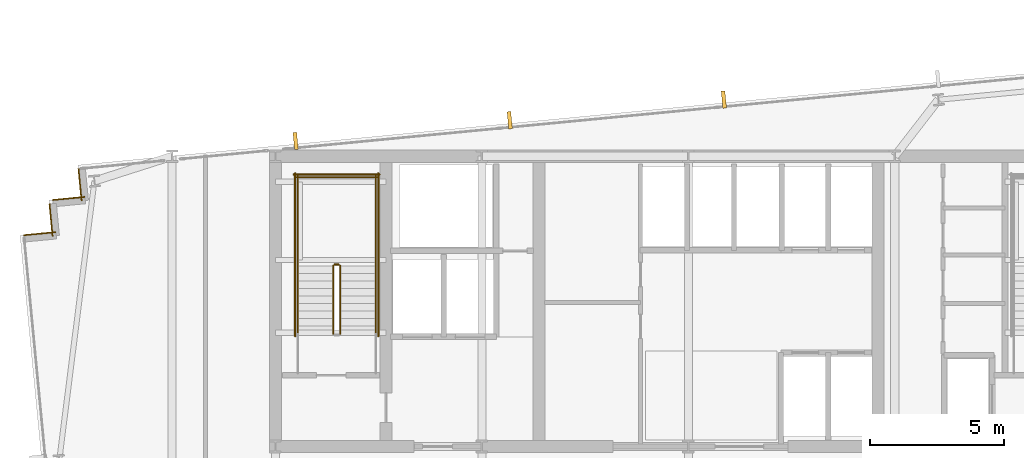
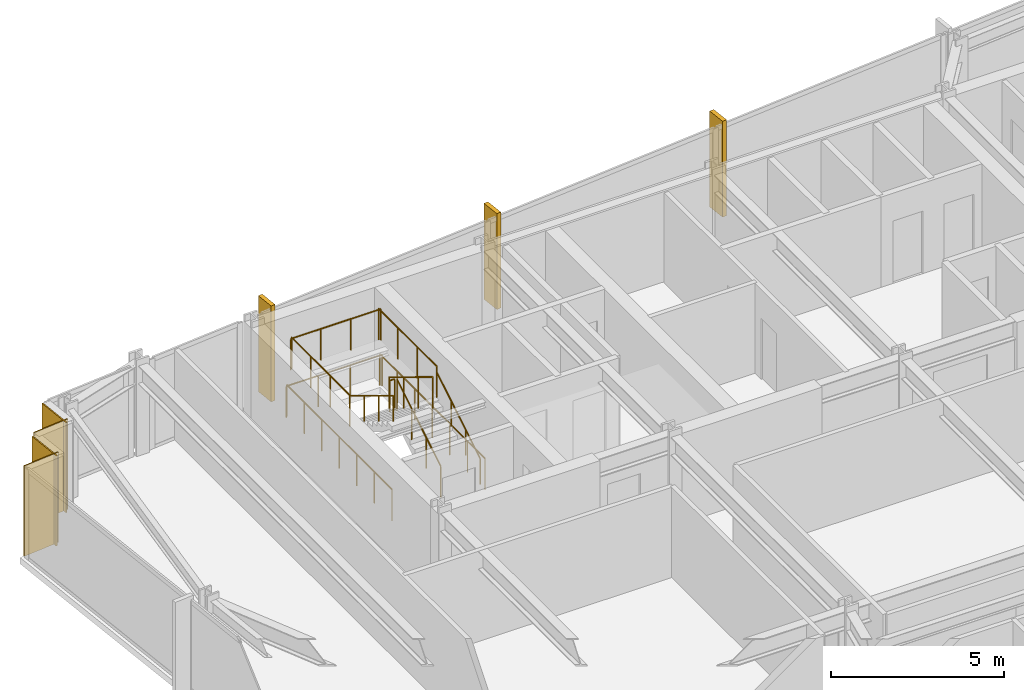
# One storey, part 31 of 32: 11 railings, 4 coverings, 3 shading devices.
"""IFC4 building model written with IfcOpenShell, lengths in metres."""

from ifc_helpers import new_model, si_unit, direction, frame, frame_2d, origin, origin_2d, place, context, subcontext, project, spatial, rectangle, circle, extrude, material, layer, layer_set, type_object, element, save


model = new_model("IFC4")

# Units and contexts
model_context = context("Model", 3, precision=1e-05, world=origin(), true_north=direction((0.0, 1.0)))
body_context = subcontext(model_context, "Body", "Model", "MODEL_VIEW")
ifc_project = project(units=[si_unit("LENGTHUNIT", "METRE"), si_unit("AREAUNIT", "SQUARE_METRE"), si_unit("VOLUMEUNIT", "CUBIC_METRE"), si_unit("PLANEANGLEUNIT", "RADIAN"), si_unit("MASSUNIT", "GRAM", prefix="KILO")], contexts=[model_context])

# Site, building, storey
site_placement = place(None, origin())
site = spatial("IfcSite", under=ifc_project, at=site_placement, CompositionType="ELEMENT")
building_placement = place(site_placement, origin())
building = spatial("IfcBuilding", under=site, at=building_placement, Name="Yelkora Congress Tower", CompositionType="ELEMENT")
storey_placement = place(building_placement, frame((0.0, 0.0, 96.5)))
storey = spatial("IfcBuildingStorey", under=building, at=storey_placement, Name="L25", CompositionType="ELEMENT", Elevation=96.5)

# Coverings
ifc_material_1 = material(Name="Anatolian bush-hammered limestone", Category="masonry")
ifc_layer_1 = layer(ifc_material_1, 0.0400390625)
ifc_layer_set_1 = layer_set([ifc_layer_1], Name="Anatolian bush-hammered limestone")
covering_type = type_object("IfcCoveringType", Name="COV-CLAD-SPANDREL-40", PredefinedType="CLADDING", material=ifc_layer_set_1)
for number, where, z_axis, x_axis, name in (
    (1, (13.677978515625, 43.260986328125, 0.0), (0.0, 0.0, 1.0), (0.995397091755, 0.095836473879, 0.0), "L25 Anatolian Limestone Cladding EW-L25-SR06"),
    (2, (14.7509765625, 43.228759765625, 0.0), (0.0, 0.0, 1.0), (-0.095836473879, 0.995397091755, 0.0), "L25 Anatolian Limestone Cladding EW-L25-SR07"),
):
    element("IfcCovering", number, at=place(storey_placement, frame(where, z_axis=z_axis, x_axis=x_axis)), inside=storey, type_object=covering_type, Name=name, PredefinedType="CLADDING", context=body_context, shape_type="SweptSolid", body=[
        extrude(rectangle(XDim=1.199951171875, YDim=0.0400390625, at=frame_2d((0.60009765625, 0.0))), origin(), (0.0, 0.0, 1.0), 3.179931640625),
    ])
for number, where, z_axis, x_axis, name in (
    (3, (14.75732421875, 44.570556640625, 0.0), (0.0, 0.0, 1.0), (0.995398960025, 0.095817067274, 0.0), "L25 Anatolian Limestone Cladding EW-L25-SR08"),
    (4, (15.830322265625, 44.5380859375, 0.0), (0.0, 0.0, 1.0), (-0.095817067274, 0.995398960025, 0.0), "L25 Anatolian Limestone Cladding EW-L25-SR09"),
):
    element("IfcCovering", number, at=place(storey_placement, frame(where, z_axis=z_axis, x_axis=x_axis)), inside=storey, type_object=covering_type, Name=name, PredefinedType="CLADDING", context=body_context, shape_type="SweptSolid", body=[
        extrude(rectangle(XDim=1.2001953125, YDim=0.0400390625, at=frame_2d((0.60009765625, 0.0))), origin(), (0.0, 0.0, 1.0), 3.179931640625),
    ])

# Railings
ifc_material_2 = material(Name="Painted galvanised steel stair well guard with vertical infill", Category="steel")
ifc_layer_2 = layer(ifc_material_2, 0.06005859375)
ifc_layer_set_2 = layer_set([ifc_layer_2], Name="Painted galvanised steel stair well guard with vertical infill")
railing_type_1 = type_object("IfcRailingType", Name="RAIL-STAIR-GUARD-1120", PredefinedType="GUARDRAIL", material=ifc_layer_set_2)
railing_1_placement = place(storey_placement, frame((25.449951171875, 39.60009765625, 0.169921875)))
element("IfcRailing", 5, at=railing_1_placement, inside=storey, type_object=railing_type_1, Name="ST-01 L25 Stair Well Guardrail 1", PredefinedType="GUARDRAIL", context=body_context, shape_type="SweptSolid", body=[
    extrude(circle(Radius=0.02392578125, at=origin_2d()), frame((0.0, 0.0, 1.09619140625), z_axis=(0.0, 0.85478489116, 0.518982456201), x_axis=(-1.0, 0.0, 0.0)), (0.0, 0.0, 1.0), 2.9482421875),
    extrude(circle(Radius=0.02099609375, at=origin_2d()), origin(), (0.0, 0.0, 1.0), 1.072021484375),
    extrude(circle(Radius=0.02099609375, at=origin_2d()), frame((0.0, 0.840087890625, 0.510009765625)), (0.0, 0.0, 1.0), 1.072021484375),
    extrude(circle(Radius=0.02099609375, at=origin_2d()), frame((0.0, 1.679931640625, 1.02001953125)), (0.0, 0.0, 1.0), 1.072021484375),
    extrude(circle(Radius=0.02099609375, at=origin_2d()), frame((0.0, 2.52001953125, 1.530029296875)), (0.0, 0.0, 1.0), 1.072021484375),
])
railing_2_placement = place(storey_placement, frame((25.39990234375, 42.169921875, 1.699951171875)))
element("IfcRailing", 6, at=railing_2_placement, inside=storey, type_object=railing_type_1, Name="ST-01 L25 Stair Well Guardrail 2", PredefinedType="GUARDRAIL", context=body_context, shape_type="SweptSolid", body=[
    extrude(circle(Radius=0.02392578125, at=origin_2d()), frame((0.0, 0.0, 1.09619140625), z_axis=(-1.0, 0.0, 0.0), x_axis=(0.0, -1.0, 0.0)), (0.0, 0.0, 1.0), 0.159912109375),
    extrude(circle(Radius=0.02099609375, at=origin_2d()), origin(), (0.0, 0.0, 1.0), 1.072021484375),
    extrude(circle(Radius=0.02099609375, at=origin_2d()), frame((-0.159912109375, 0.0, 0.0)), (0.0, 0.0, 1.0), 1.072021484375),
])
for number, where, name in (
    (7, (26.77001953125, 42.1201171875, 1.699951171875), "ST-01 L25 Stair Well Guardrail 3"),
    (8, (23.8701171875, 42.1201171875, 1.699951171875), "ST-01 L25 Stair Well Guardrail 4"),
):
    element("IfcRailing", number, at=place(storey_placement, frame(where)), inside=storey, type_object=railing_type_1, Name=name, PredefinedType="GUARDRAIL", context=body_context, shape_type="SweptSolid", body=[
        extrude(circle(Radius=0.02392578125, at=origin_2d()), frame((0.0, 0.0, 1.09619140625), z_axis=(0.0, 1.0, 0.0), x_axis=(-1.0, 0.0, 0.0)), (0.0, 0.0, 1.0), 3.349853515625),
        extrude(circle(Radius=0.02099609375, at=origin_2d()), origin(), (0.0, 0.0, 1.0), 1.072021484375),
        extrude(circle(Radius=0.02099609375, at=origin_2d()), frame((0.0, 1.11669921875, 0.0)), (0.0, 0.0, 1.0), 1.072021484375),
        extrude(circle(Radius=0.02099609375, at=origin_2d()), frame((0.0, 2.233154296875, 0.0)), (0.0, 0.0, 1.0), 1.072021484375),
        extrude(circle(Radius=0.02099609375, at=origin_2d()), frame((0.0, 3.349853515625, 0.0)), (0.0, 0.0, 1.0), 1.072021484375),
    ])
railing_3_placement = place(storey_placement, frame((26.820068359375, 45.419921875, 1.699951171875)))
element("IfcRailing", 9, at=railing_3_placement, inside=storey, type_object=railing_type_1, Name="ST-01 L25 Stair Well Guardrail 5", PredefinedType="GUARDRAIL", context=body_context, shape_type="SweptSolid", body=[
    extrude(circle(Radius=0.02392578125, at=origin_2d()), frame((0.0, 0.0, 1.09619140625), z_axis=(-1.0, 0.0, 0.0), x_axis=(0.0, -1.0, 0.0)), (0.0, 0.0, 1.0), 3.0),
    extrude(circle(Radius=0.02099609375, at=origin_2d()), origin(), (0.0, 0.0, 1.0), 1.072021484375),
    extrude(circle(Radius=0.02099609375, at=origin_2d()), frame((-1.0, 0.0, 0.0)), (0.0, 0.0, 1.0), 1.072021484375),
    extrude(circle(Radius=0.02099609375, at=origin_2d()), frame((-2.0, 0.0, 0.0)), (0.0, 0.0, 1.0), 1.072021484375),
    extrude(circle(Radius=0.02099609375, at=origin_2d()), frame((-3.0, 0.0, 0.0)), (0.0, 0.0, 1.0), 1.072021484375),
])
railing_4_placement = place(storey_placement, frame((25.18994140625, 42.1201171875, 1.8701171875)))
element("IfcRailing", 10, at=railing_4_placement, inside=storey, type_object=railing_type_1, Name="ST-01 L25 Stair Well Guardrail 6", PredefinedType="GUARDRAIL", context=body_context, shape_type="SweptSolid", body=[
    extrude(circle(Radius=0.02392578125, at=origin_2d()), frame((0.0, 0.0, 1.09619140625), z_axis=(0.0, -0.854821627497, 0.518921945155), x_axis=(1.0, 0.0, 0.0)), (0.0, 0.0, 1.0), 2.947998046875),
    extrude(circle(Radius=0.02099609375, at=origin_2d()), origin(), (0.0, 0.0, 1.0), 1.072021484375),
    extrude(circle(Radius=0.02099609375, at=origin_2d()), frame((0.0, -0.840087890625, 0.510009765625)), (0.0, 0.0, 1.0), 1.072021484375),
    extrude(circle(Radius=0.02099609375, at=origin_2d()), frame((0.0, -1.679931640625, 1.019775390625)), (0.0, 0.0, 1.0), 1.072021484375),
    extrude(circle(Radius=0.02099609375, at=origin_2d()), frame((0.0, -2.52001953125, 1.52978515625)), (0.0, 0.0, 1.0), 1.072021484375),
])
for number, where, name in (
    (11, (26.8701171875, 39.5, 0.0), "ST-01 L25 Stair Well Guardrail 10"),
    (12, (23.77001953125, 39.5, 0.0), "ST-01 L25 Stair Well Guardrail 11"),
):
    element("IfcRailing", number, at=place(storey_placement, frame(where)), inside=storey, type_object=railing_type_1, Name=name, PredefinedType="GUARDRAIL", context=body_context, shape_type="SweptSolid", body=[
        extrude(circle(Radius=0.02392578125, at=origin_2d()), frame((0.0, 0.0, 1.09619140625), z_axis=(0.0, 1.0, 0.0), x_axis=(-1.0, 0.0, 0.0)), (0.0, 0.0, 1.0), 6.070068359375),
        extrude(circle(Radius=0.02099609375, at=origin_2d()), origin(), (0.0, 0.0, 1.0), 1.072021484375),
        extrude(circle(Radius=0.02099609375, at=origin_2d()), frame((0.0, 1.01171875, 0.0)), (0.0, 0.0, 1.0), 1.072021484375),
        extrude(circle(Radius=0.02099609375, at=origin_2d()), frame((0.0, 2.0234375, 0.0)), (0.0, 0.0, 1.0), 1.072021484375),
        extrude(circle(Radius=0.02099609375, at=origin_2d()), frame((0.0, 3.03515625, 0.0)), (0.0, 0.0, 1.0), 1.072021484375),
        extrude(circle(Radius=0.02099609375, at=origin_2d()), frame((0.0, 4.046630859375, 0.0)), (0.0, 0.0, 1.0), 1.072021484375),
        extrude(circle(Radius=0.02099609375, at=origin_2d()), frame((0.0, 5.058349609375, 0.0)), (0.0, 0.0, 1.0), 1.072021484375),
        extrude(circle(Radius=0.02099609375, at=origin_2d()), frame((0.0, 6.070068359375, 0.0)), (0.0, 0.0, 1.0), 1.072021484375),
    ])
railing_5_placement = place(storey_placement, frame((26.919921875, 45.52001953125, 0.0)))
element("IfcRailing", 13, at=railing_5_placement, inside=storey, type_object=railing_type_1, Name="ST-01 L25 Stair Well Guardrail 12", PredefinedType="GUARDRAIL", context=body_context, shape_type="SweptSolid", body=[
    extrude(circle(Radius=0.02392578125, at=origin_2d()), frame((0.0, 0.0, 1.09619140625), z_axis=(-1.0, 0.0, 0.0), x_axis=(0.0, -1.0, 0.0)), (0.0, 0.0, 1.0), 3.199951171875),
    extrude(circle(Radius=0.02099609375, at=origin_2d()), origin(), (0.0, 0.0, 1.0), 1.072021484375),
    extrude(circle(Radius=0.02099609375, at=origin_2d()), frame((-1.066650390625, 0.0, 0.0)), (0.0, 0.0, 1.0), 1.072021484375),
    extrude(circle(Radius=0.02099609375, at=origin_2d()), frame((-2.13330078125, 0.0, 0.0)), (0.0, 0.0, 1.0), 1.072021484375),
    extrude(circle(Radius=0.02099609375, at=origin_2d()), frame((-3.199951171875, 0.0, 0.0)), (0.0, 0.0, 1.0), 1.072021484375),
])
ifc_material_3 = material(Name="Brushed stainless steel tubular handrail", Category="steel")
ifc_layer_3 = layer(ifc_material_3, 0.050048828125)
ifc_layer_set_3 = layer_set([ifc_layer_3], Name="Brushed stainless steel tubular handrail")
railing_type_2 = type_object("IfcRailingType", Name="RAIL-STAIR-HAND-920", PredefinedType="HANDRAIL", material=ifc_layer_set_3)
railing_6_placement = place(storey_placement, frame((26.77001953125, 39.60009765625, 0.169921875)))
element("IfcRailing", 14, at=railing_6_placement, inside=storey, type_object=railing_type_2, Name="ST-01 L25 Pitch Handrail 1", PredefinedType="HANDRAIL", context=body_context, shape_type="SweptSolid", body=[
    extrude(circle(Radius=0.02392578125, at=origin_2d()), frame((0.0, 0.0, 0.89599609375), z_axis=(0.0, 0.85478489116, 0.518982456201), x_axis=(-1.0, 0.0, 0.0)), (0.0, 0.0, 1.0), 2.9482421875),
    extrude(circle(Radius=0.02099609375, at=origin_2d()), origin(), (0.0, 0.0, 1.0), 0.871826171875),
    extrude(circle(Radius=0.02099609375, at=origin_2d()), frame((0.0, 0.840087890625, 0.510009765625)), (0.0, 0.0, 1.0), 0.871826171875),
    extrude(circle(Radius=0.02099609375, at=origin_2d()), frame((0.0, 1.679931640625, 1.02001953125)), (0.0, 0.0, 1.0), 0.871826171875),
    extrude(circle(Radius=0.02099609375, at=origin_2d()), frame((0.0, 2.52001953125, 1.530029296875)), (0.0, 0.0, 1.0), 0.871826171875),
])
railing_7_placement = place(storey_placement, frame((23.8701171875, 42.1201171875, 1.8701171875)))
element("IfcRailing", 15, at=railing_7_placement, inside=storey, type_object=railing_type_2, Name="ST-01 L25 Pitch Handrail 2", PredefinedType="HANDRAIL", context=body_context, shape_type="SweptSolid", body=[
    extrude(circle(Radius=0.02392578125, at=origin_2d()), frame((0.0, 0.0, 0.89599609375), z_axis=(0.0, -0.854821627497, 0.518921945155), x_axis=(1.0, 0.0, 0.0)), (0.0, 0.0, 1.0), 2.947998046875),
    extrude(circle(Radius=0.02099609375, at=origin_2d()), origin(), (0.0, 0.0, 1.0), 0.871826171875),
    extrude(circle(Radius=0.02099609375, at=origin_2d()), frame((0.0, -0.840087890625, 0.510009765625)), (0.0, 0.0, 1.0), 0.871826171875),
    extrude(circle(Radius=0.02099609375, at=origin_2d()), frame((0.0, -1.679931640625, 1.019775390625)), (0.0, 0.0, 1.0), 0.871826171875),
    extrude(circle(Radius=0.02099609375, at=origin_2d()), frame((0.0, -2.52001953125, 1.52978515625)), (0.0, 0.0, 1.0), 0.871826171875),
])

# Shading devices
ifc_material_4 = material(Name="Champagne anodised aluminium", Category="aluminium")
ifc_layer_4 = layer(ifc_material_4, 3.39990234375)
ifc_layer_set_4 = layer_set([ifc_layer_4], Name="Champagne anodised aluminium")
shading_device_type = type_object("IfcShadingDeviceType", Name="SHD-FIN-ALU-640", PredefinedType="USERDEFINED", material=ifc_layer_set_4)
for number, where, z_axis, x_axis, name in (
    (16, (23.791015625, 46.771484375, -0.030029296875), (0.0, 0.0, 1.0), (0.995396198367, 0.09584575252, 0.0), "L25 Vertical Anodised Solar Fin 10-1"),
    (17, (31.7568359375, 47.53857421875, -0.030029296875), (0.0, 0.0, 1.0), (0.995396198367, 0.09584575252, 0.0), "L25 Vertical Anodised Solar Fin 10-2"),
    (18, (39.722900390625, 48.3056640625, -0.030029296875), (0.0, 0.0, 1.0), (0.995396198367, 0.09584575252, 0.0), "L25 Vertical Anodised Solar Fin 10-3"),
):
    element("IfcShadingDevice", number, at=place(storey_placement, frame(where, z_axis=z_axis, x_axis=x_axis)), inside=storey, type_object=shading_device_type, Name=name, ObjectType="FIN", PredefinedType="USERDEFINED", context=body_context, shape_type="SweptSolid", body=[
        extrude(rectangle(XDim=0.139892578125, YDim=0.639892578125, at=origin_2d()), origin(), (0.0, 0.0, 1.0), 3.3798828125),
    ])

save(model, "model.ifc")
